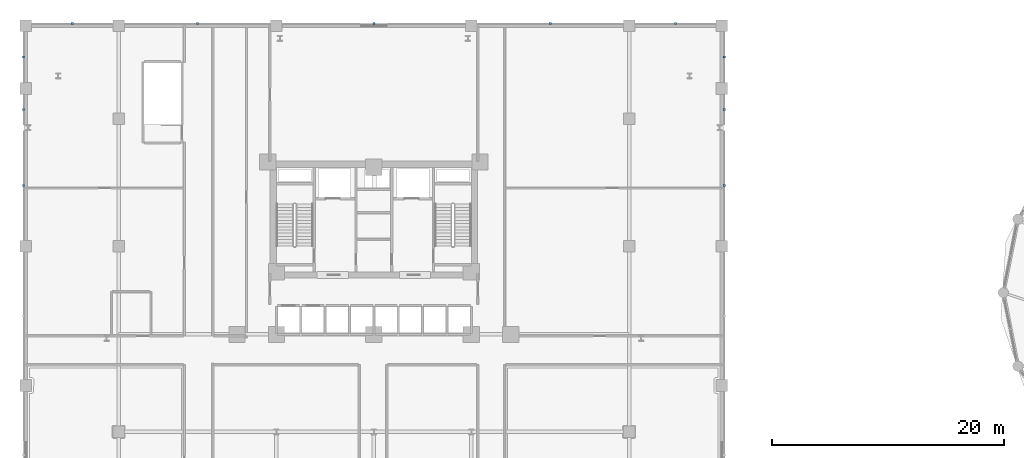
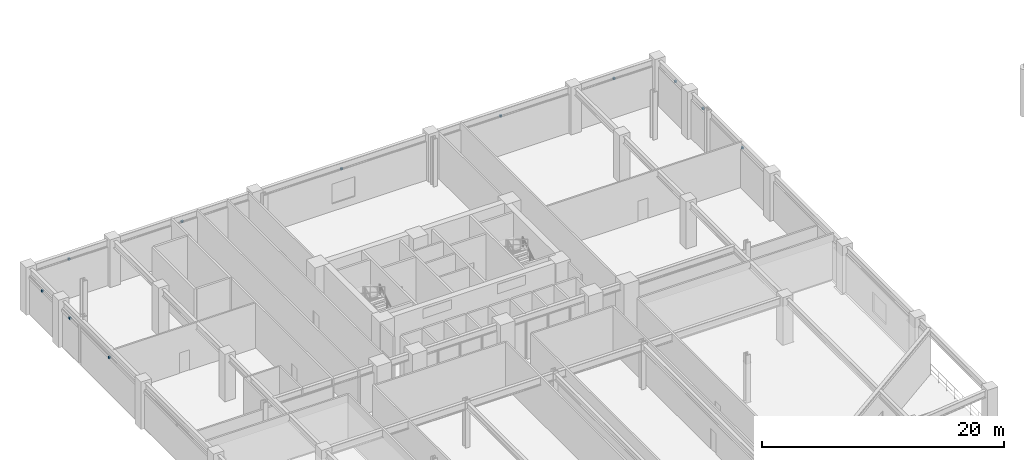
# One storey, part 22 of 26: 11 discrete accessories.
"""IFC4 building model written with IfcOpenShell, lengths in metres."""

from ifc_helpers import new_model, si_unit, derived_unit, direction, frame, origin, origin_2d, place, context, subcontext, project, spatial, rectangle, extrude, source, transform, mapped, material, type_object, element, save


model = new_model("IFC4")

# Units and contexts
model_context = context("Model", 3, precision=1e-05, world=origin(), true_north=direction((0.0, 1.0)))
body_context = subcontext(model_context, "Body", "Model", "MODEL_VIEW")
ifc_project = project(units=[si_unit("LENGTHUNIT", "METRE"), si_unit("AREAUNIT", "SQUARE_METRE"), si_unit("VOLUMEUNIT", "CUBIC_METRE"), si_unit("PLANEANGLEUNIT", "RADIAN"), si_unit("MASSUNIT", "GRAM", prefix="KILO"), derived_unit("THERMALTRANSMITTANCEUNIT", [(si_unit("POWERUNIT", "WATT"), 1), (si_unit("LENGTHUNIT", "METRE"), -2), (si_unit("THERMODYNAMICTEMPERATUREUNIT", "KELVIN"), -1)])], contexts=[model_context])

# Site, building, storey
site_placement = place(None, origin())
site = spatial("IfcSite", under=ifc_project, at=site_placement, CompositionType="ELEMENT")
building_placement = place(site_placement, origin())
building = spatial("IfcBuilding", under=site, at=building_placement, Name="Korsvarv Bourse and Concert Hall", CompositionType="ELEMENT")
storey_placement = place(building_placement, frame((0.0, 0.0, 19.199951171875)))
storey = spatial("IfcBuildingStorey", under=building, at=storey_placement, Name="L04", CompositionType="ELEMENT", Elevation=19.199951171875)

# Discrete accessories
ifc_material = material(Name="Stainless Steel S355 facade outrigger bracket", Category="steel")
discrete_accessory_type = type_object("IfcDiscreteAccessoryType", Name="ACC-BRK-1", PredefinedType="BRACKET", material=ifc_material)
shared_shape = source(origin(), body_context, "Body", "SweptSolid", [
    extrude(rectangle(XDim=0.179931640625, YDim=0.179931640625, at=origin_2d()), origin(), (0.0, 0.0, 1.0), 0.199951171875),
])
for number, where, z_axis, x_axis, name in (
    (1, (66.199951171875, 45.239990234375, 3.6201171875), (0.0, 0.0, 1.0), (0.0, 1.0, 0.0), "L04 terracotta sunshade bracket EW-L04-G4-4"),
    (2, (66.199951171875, 51.777099609375, 3.6201171875), (0.0, 0.0, 1.0), (0.0, 1.0, 0.0), "L04 terracotta sunshade bracket EW-L04-G4-5"),
    (3, (66.199951171875, 56.300048828125, 3.6201171875), (0.0, 0.0, 1.0), (0.0, 1.0, 0.0), "L04 terracotta sunshade bracket EW-L04-G4-6"),
    (4, (62.0, 59.199951171875, 3.6201171875), (0.0, 0.0, 1.0), (-1.0, 0.0, 0.0), "L04 terracotta sunshade bracket EW-L04-G5-1"),
    (5, (51.199951171875, 59.199951171875, 3.6201171875), (0.0, 0.0, 1.0), (-1.0, 0.0, 0.0), "L04 terracotta sunshade bracket EW-L04-G5-2"),
    (6, (36.0, 59.199951171875, 3.6201171875), (0.0, 0.0, 1.0), (-1.0, 0.0, 0.0), "L04 terracotta sunshade bracket EW-L04-G5-3"),
    (7, (20.800048828125, 59.199951171875, 3.6201171875), (0.0, 0.0, 1.0), (-1.0, 0.0, 0.0), "L04 terracotta sunshade bracket EW-L04-G5-4"),
    (8, (10.0, 59.199951171875, 3.6201171875), (0.0, 0.0, 1.0), (-1.0, 0.0, 0.0), "L04 terracotta sunshade bracket EW-L04-G5-5"),
    (9, (5.800048828125, 56.300048828125, 3.6201171875), (0.0, 0.0, 1.0), (0.0, -1.0, 0.0), "L04 terracotta sunshade bracket EW-L04-G6-1"),
    (10, (5.800048828125, 51.777099609375, 3.6201171875), (0.0, 0.0, 1.0), (0.0, -1.0, 0.0), "L04 terracotta sunshade bracket EW-L04-G6-2"),
    (11, (5.800048828125, 45.239990234375, 3.6201171875), (0.0, 0.0, 1.0), (0.0, -1.0, 0.0), "L04 terracotta sunshade bracket EW-L04-G6-3"),
):
    element("IfcDiscreteAccessory", number, at=place(storey_placement, frame(where, z_axis=z_axis, x_axis=x_axis)), inside=storey, type_object=discrete_accessory_type, Name=name, PredefinedType="BRACKET", context=body_context, shape_type="MappedRepresentation", body=[
        mapped(shared_shape, transform((0.0, 0.0, 0.0), scale=1.0)),
    ])

save(model, "model.ifc")
